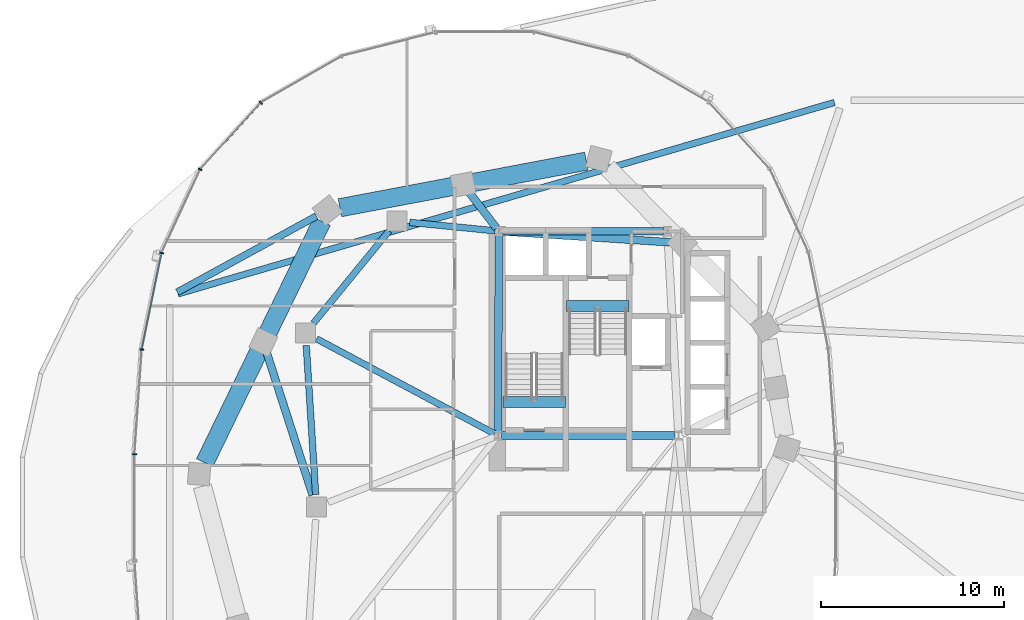
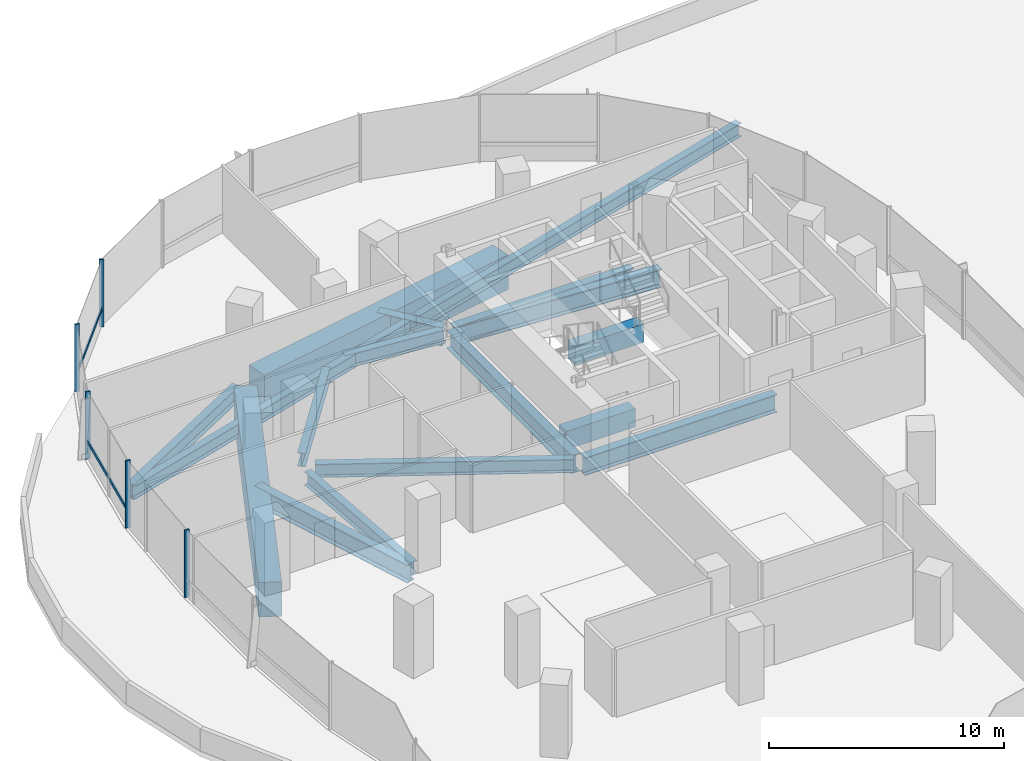
# One storey, part 6 of 28: 16 beams, 7 members, 1 element without a shape of its own.
"""IFC4 building model written with IfcOpenShell, lengths in metres."""

from ifc_helpers import new_model, si_unit, direction, frame, origin, origin_2d, place, context, subcontext, project, spatial, rectangle, i_section, extrude, material, material_profile, profile_set, type_object, element, aggregate, save


model = new_model("IFC4")

# Units and contexts
model_context = context("Model", 3, precision=1e-05, world=origin(), true_north=direction((0.0, 1.0)))
body_context = subcontext(model_context, "Body", "Model", "MODEL_VIEW")
ifc_project = project(units=[si_unit("LENGTHUNIT", "METRE"), si_unit("AREAUNIT", "SQUARE_METRE"), si_unit("VOLUMEUNIT", "CUBIC_METRE"), si_unit("PLANEANGLEUNIT", "RADIAN"), si_unit("MASSUNIT", "GRAM", prefix="KILO"), si_unit("THERMODYNAMICTEMPERATUREUNIT", "KELVIN"), si_unit("POWERUNIT", "WATT")], contexts=[model_context])

# Site, building, storey
site_placement = place(None, origin())
site = spatial("IfcSite", under=ifc_project, at=site_placement, CompositionType="ELEMENT")
building_placement = place(site_placement, origin())
building = spatial("IfcBuilding", under=site, at=building_placement, Name="Cundina Bronze Exchange", CompositionType="ELEMENT")
storey_placement = place(building_placement, frame((0.0, 0.0, 24.0)))
storey = spatial("IfcBuildingStorey", under=building, at=storey_placement, Name="L05", CompositionType="ELEMENT", Elevation=24.0)

# Beams
ifc_material_1 = material(Name="Concrete C60/75", Category="concrete")
ifc_material_profile_1 = material_profile(ifc_material_1, rectangle(XDim=0.60009765625, YDim=0.949951171875, at=origin_2d()), Name="RC600X950", Category="concrete")
ifc_profile_set_1 = profile_set([ifc_material_profile_1], Name="Concrete C60/75")
beam_type_1 = type_object("IfcBeamType", Name="BM-COUP-RC950", PredefinedType="LINTEL", material=ifc_profile_set_1)
beam_1_placement = place(storey_placement, frame((-31.02001953125, 5.719970703125, -0.47509765625), z_axis=(1.0, 0.0, 0.0), x_axis=(0.0, 1.0, 0.0)))
element("IfcBeam", 1, at=beam_1_placement, inside=storey, type_object=beam_type_1, Name="L05 Stair W1 Landing Header Beam", PredefinedType="LINTEL", context=body_context, shape_type="SweptSolid", body=[
    extrude(rectangle(XDim=0.60009765625, YDim=0.949951171875, at=origin_2d()), origin(), (0.0, 0.0, 1.0), 3.39990234375),
])
beam_2_placement = place(storey_placement, frame((-27.56005859375, 10.97998046875, -0.47509765625), z_axis=(1.0, 0.0, 0.0), x_axis=(0.0, 1.0, 0.0)))
element("IfcBeam", 2, at=beam_2_placement, inside=storey, type_object=beam_type_1, Name="L05 Stair W2 Landing Header Beam", PredefinedType="LINTEL", context=body_context, shape_type="SweptSolid", body=[
    extrude(rectangle(XDim=0.60009765625, YDim=0.949951171875, at=origin_2d()), origin(), (0.0, 0.0, 1.0), 3.400146484375),
])
ifc_material_2 = material(Name="Steel ASTM A992 Grade 50", Category="steel")
ifc_material_profile_2 = material_profile(ifc_material_2, i_section(OverallWidth=0.35498046875, OverallDepth=0.695068359375, WebThickness=0.015380859375, FlangeThickness=0.02490234375, FilletRadius=0.01806640625, at=origin_2d()), Name="W27X146", Category="steel")
ifc_profile_set_2 = profile_set([ifc_material_profile_2], Name="Steel ASTM A992 Grade 50")
beam_type_2 = type_object("IfcBeamType", Name="BM-RING-W27", PredefinedType="USERDEFINED", material=ifc_profile_set_2)
beam_3_placement = place(storey_placement, frame((-31.452880859375, 15.070068359375, -0.6474609375), z_axis=(-0.995123484374, 0.098636964914, 0.0), x_axis=(-0.098636964914, -0.995123484374, 0.0)))
element("IfcBeam", 3, at=beam_3_placement, inside=storey, type_object=beam_type_2, Name="L05 W Inner Structural Ring Girder 01", ObjectType="GIRDER", PredefinedType="USERDEFINED", context=body_context, shape_type="SweptSolid", body=[
    extrude(i_section(OverallWidth=0.35498046875, OverallDepth=0.695068359375, WebThickness=0.015380859375, FlangeThickness=0.02490234375, FilletRadius=0.01806640625, at=origin_2d()), origin(), (0.0, 0.0, 1.0), 4.685546875),
])
beam_4_placement = place(storey_placement, frame((-37.236083984375, 15.06787109375, -0.6474609375), z_axis=(-0.633941925234, -0.773380653644, 0.0), x_axis=(0.773380653644, -0.633941925234, 0.0)))
element("IfcBeam", 4, at=beam_4_placement, inside=storey, type_object=beam_type_2, Name="L05 W Inner Structural Ring Girder 02", ObjectType="GIRDER", PredefinedType="USERDEFINED", context=body_context, shape_type="SweptSolid", body=[
    extrude(i_section(OverallWidth=0.35498046875, OverallDepth=0.695068359375, WebThickness=0.015380859375, FlangeThickness=0.02490234375, FilletRadius=0.01806640625, at=origin_2d()), origin(), (0.0, 0.0, 1.0), 6.511474609375),
])
beam_5_placement = place(storey_placement, frame((-41.756591796875, 8.8134765625, -0.6474609375), z_axis=(0.063020359641, -0.998012241544, 0.0), x_axis=(0.998012241544, 0.063020359641, 0.0)))
element("IfcBeam", 5, at=beam_5_placement, inside=storey, type_object=beam_type_2, Name="L05 W Inner Structural Ring Girder 03", ObjectType="GIRDER", PredefinedType="USERDEFINED", context=body_context, shape_type="SweptSolid", body=[
    extrude(i_section(OverallWidth=0.35498046875, OverallDepth=0.695068359375, WebThickness=0.015380859375, FlangeThickness=0.02490234375, FilletRadius=0.01806640625, at=origin_2d()), origin(), (0.0, 0.0, 1.0), 8.14306640625),
])
beam_6_placement = place(storey_placement, frame((-31.47998046875, 3.99609375, -0.6474609375), z_axis=(-0.882354169055, 0.470585933014, 0.0), x_axis=(-0.470585933014, -0.882354169055, 0.0)))
element("IfcBeam", 6, at=beam_6_placement, inside=storey, type_object=beam_type_2, Name="L05 W Core-to-Waist Tie Beam 2", ObjectType="GIRDER", PredefinedType="USERDEFINED", context=body_context, shape_type="SweptSolid", body=[
    extrude(i_section(OverallWidth=0.35498046875, OverallDepth=0.695068359375, WebThickness=0.015380859375, FlangeThickness=0.02490234375, FilletRadius=0.01806640625, at=origin_2d()), origin(), (0.0, 0.0, 1.0), 11.0078125),
])
beam_7_placement = place(storey_placement, frame((-48.755615234375, 11.629638671875, -0.652587890625), z_axis=(0.960030342111, 0.279895948926, 0.0), x_axis=(-0.279895948926, 0.960030342111, 0.0)))
element("IfcBeam", 7, at=beam_7_placement, inside=storey, type_object=beam_type_2, Name="L05 Podium Roof Edge Girder 05", ObjectType="GIRDER", PredefinedType="USERDEFINED", context=body_context, shape_type="SweptSolid", body=[
    extrude(i_section(OverallWidth=0.35498046875, OverallDepth=0.695068359375, WebThickness=0.015380859375, FlangeThickness=0.02490234375, FilletRadius=0.01806640625, at=origin_2d()), origin(), (0.0, 0.0, 1.0), 37.302001953125),
])
ifc_material_profile_3 = material_profile(ifc_material_2, i_section(OverallWidth=0.381103515625, OverallDepth=0.77294921875, WebThickness=0.0166015625, FlangeThickness=0.027099609375, FilletRadius=0.01904296875, at=origin_2d()), Name="W30X173", Category="steel")
ifc_profile_set_3 = profile_set([ifc_material_profile_3], Name="Steel ASTM A992 Grade 50")
beam_type_3 = type_object("IfcBeamType", Name="BM-RING-W30", PredefinedType="USERDEFINED", material=ifc_profile_set_3)
beam_8_placement = place(storey_placement, frame((-48.793701171875, 11.721923828125, -0.69140625), z_axis=(0.877499398221, 0.479577737308, 0.0), x_axis=(-0.479577737308, 0.877499398221, 0.0)))
element("IfcBeam", 8, at=beam_8_placement, inside=storey, type_object=beam_type_3, Name="L05 Podium Colonnade Tie Beam 01", ObjectType="GIRDER", PredefinedType="USERDEFINED", context=body_context, shape_type="SweptSolid", body=[
    extrude(i_section(OverallWidth=0.381103515625, OverallDepth=0.77294921875, WebThickness=0.0166015625, FlangeThickness=0.027099609375, FilletRadius=0.01904296875, at=origin_2d()), origin(), (0.0, 0.0, 1.0), 8.649658203125),
])
ifc_material_profile_4 = material_profile(ifc_material_2, i_section(OverallWidth=0.423095703125, OverallDepth=0.947998046875, WebThickness=0.02392578125, FlangeThickness=0.042724609375, FilletRadius=0.02392578125, at=origin_2d()), Name="W36X302", Category="steel")
ifc_profile_set_4 = profile_set([ifc_material_profile_4], Name="Steel ASTM A992 Grade 50")
beam_type_4 = type_object("IfcBeamType", Name="BM-WRN-W36A", PredefinedType="USERDEFINED", material=ifc_profile_set_4)
beam_9_placement = place(storey_placement, frame((-31.04638671875, 15.036865234375, -0.77392578125), z_axis=(0.997892866458, -0.064883180197, 0.0), x_axis=(0.064883180197, 0.997892866458, 0.0)))
element("IfcBeam", 9, at=beam_9_placement, inside=storey, type_object=beam_type_4, Name="L05 W Transfer Radial Tie Girder 03", ObjectType="GIRDER", PredefinedType="USERDEFINED", context=body_context, shape_type="SweptSolid", body=[
    extrude(i_section(OverallWidth=0.423095703125, OverallDepth=0.947998046875, WebThickness=0.02392578125, FlangeThickness=0.042724609375, FilletRadius=0.02392578125, at=origin_2d()), origin(), (0.0, 0.0, 1.0), 9.817138671875),
])
beam_10_placement = place(storey_placement, frame((-31.373779296875, 15.2119140625, -0.77392578125), z_axis=(-0.607432021903, 0.794371662868, 0.0), x_axis=(-0.794371662868, -0.607432021903, 0.0)))
element("IfcBeam", 10, at=beam_10_placement, inside=storey, type_object=beam_type_4, Name="L05 W Transfer Radial Tie Girder 05", ObjectType="GIRDER", PredefinedType="USERDEFINED", context=body_context, shape_type="SweptSolid", body=[
    extrude(i_section(OverallWidth=0.423095703125, OverallDepth=0.947998046875, WebThickness=0.02392578125, FlangeThickness=0.042724609375, FilletRadius=0.02392578125, at=origin_2d()), origin(), (0.0, 0.0, 1.0), 3.00634765625),
])
beam_11_placement = place(storey_placement, frame((-41.410888671875, 0.65478515625, -0.77392578125), z_axis=(-0.306713948164, 0.951801740911, 0.0), x_axis=(-0.951801740911, -0.306713948164, 0.0)))
element("IfcBeam", 11, at=beam_11_placement, inside=storey, type_object=beam_type_4, Name="L05 W Transfer Radial Tie Girder 07", ObjectType="GIRDER", PredefinedType="USERDEFINED", context=body_context, shape_type="SweptSolid", body=[
    extrude(i_section(OverallWidth=0.423095703125, OverallDepth=0.947998046875, WebThickness=0.02392578125, FlangeThickness=0.042724609375, FilletRadius=0.02392578125, at=origin_2d()), origin(), (0.0, 0.0, 1.0), 8.767822265625),
])
ifc_material_profile_5 = material_profile(ifc_material_2, i_section(OverallWidth=0.41796875, OverallDepth=0.927001953125, WebThickness=0.019287109375, FlangeThickness=0.031982421875, FilletRadius=0.02392578125, at=origin_2d()), Name="W36X231", Category="steel")
ifc_profile_set_5 = profile_set([ifc_material_profile_5], Name="Steel ASTM A992 Grade 50")
beam_type_5 = type_object("IfcBeamType", Name="BM-WRN-W36B", PredefinedType="USERDEFINED", material=ifc_profile_set_5)
beam_12_placement = place(storey_placement, frame((-31.095947265625, 3.89990234375, -0.763427734375), z_axis=(1.0, 0.0, 0.0), x_axis=(0.0, 1.0, 0.0)))
element("IfcBeam", 12, at=beam_12_placement, inside=storey, type_object=beam_type_5, Name="L05 W Core Perimeter Tie Girder 1", ObjectType="GIRDER", PredefinedType="USERDEFINED", context=body_context, shape_type="SweptSolid", body=[
    extrude(i_section(OverallWidth=0.41796875, OverallDepth=0.927001953125, WebThickness=0.019287109375, FlangeThickness=0.031982421875, FilletRadius=0.02392578125, at=origin_2d()), origin(), (0.0, 0.0, 1.0), 9.44189453125),
])
beam_13_placement = place(storey_placement, frame((-22.25390625, 15.050048828125, -0.763427734375), z_axis=(-1.0, 0.0, 0.0), x_axis=(0.0, -1.0, 0.0)))
element("IfcBeam", 13, at=beam_13_placement, inside=storey, type_object=beam_type_5, Name="L05 W Core Perimeter Tie Girder 3", ObjectType="GIRDER", PredefinedType="USERDEFINED", context=body_context, shape_type="SweptSolid", body=[
    extrude(i_section(OverallWidth=0.41796875, OverallDepth=0.927001953125, WebThickness=0.019287109375, FlangeThickness=0.031982421875, FilletRadius=0.02392578125, at=origin_2d()), origin(), (0.0, 0.0, 1.0), 8.7919921875),
])
beam_14_placement = place(storey_placement, frame((-31.2509765625, 14.845947265625, -0.763427734375), z_axis=(-0.004477329608, -0.99998997671, 0.0), x_axis=(0.99998997671, -0.004477329608, 0.0)))
element("IfcBeam", 14, at=beam_14_placement, inside=storey, type_object=beam_type_5, Name="L05 W Core Perimeter Tie Girder 4", ObjectType="GIRDER", PredefinedType="USERDEFINED", context=body_context, shape_type="SweptSolid", body=[
    extrude(i_section(OverallWidth=0.41796875, OverallDepth=0.927001953125, WebThickness=0.019287109375, FlangeThickness=0.031982421875, FilletRadius=0.02392578125, at=origin_2d()), origin(), (0.0, 0.0, 1.0), 10.741943359375),
])
ifc_material_profile_6 = material_profile(ifc_material_1, rectangle(XDim=1.0, YDim=1.800048828125, at=origin_2d()), Name="RC1000X1800", Category="concrete")
ifc_profile_set_6 = profile_set([ifc_material_profile_6], Name="Concrete C60/75")
beam_type_6 = type_object("IfcBeamType", Name="BM-XFER-RC1800", PredefinedType="USERDEFINED", material=ifc_profile_set_6)
beam_15_placement = place(storey_placement, frame((-26.47607421875, 18.8720703125, -1.199951171875), z_axis=(-0.982570597927, -0.18588980631, 0.0), x_axis=(0.18588980631, -0.982570597927, 0.0)))
element("IfcBeam", 15, at=beam_15_placement, inside=storey, type_object=beam_type_6, Name="L05 W Podium Perimeter Transfer Girder 04", ObjectType="GIRDER", PredefinedType="USERDEFINED", context=body_context, shape_type="SweptSolid", body=[
    extrude(rectangle(XDim=1.0, YDim=1.800048828125, at=origin_2d()), origin(), (0.0, 0.0, 1.0), 13.6865234375),
])
beam_16_placement = place(storey_placement, frame((-40.90087890625, 15.581298828125, -1.199951171875), z_axis=(-0.437190083216, -0.899369129522, 0.0), x_axis=(0.899369129522, -0.437190083216, 0.0)))
element("IfcBeam", 16, at=beam_16_placement, inside=storey, type_object=beam_type_6, Name="L05 W Podium Perimeter Transfer Girder 06", ObjectType="GIRDER", PredefinedType="USERDEFINED", context=body_context, shape_type="SweptSolid", body=[
    extrude(rectangle(XDim=1.0, YDim=1.800048828125, at=origin_2d()), origin(), (0.0, 0.0, 1.0), 14.63525390625),
])

# Curtain wall, members
ifc_material_3 = material(Name="Anodised Bronze Aluminium 6063-T6", Category="aluminium")
curtain_wall_type = type_object("IfcCurtainWallType", Name="CWS-TRD-LOW", PredefinedType="NOTDEFINED", material=ifc_material_3)
curtain_wall_placement = place(storey_placement, origin())
curtain_wall = element("IfcCurtainWall", 17, at=curtain_wall_placement, inside=storey, type_object=curtain_wall_type, Name="L05 CW-02 Curtain Wall Run CWR-L05-W2", PredefinedType="NOTDEFINED")
ifc_material_profile_7 = material_profile(ifc_material_3, rectangle(XDim=0.074951171875, YDim=0.219970703125, at=origin_2d()), Name="AL75X220", Category="aluminium")
ifc_profile_set_7 = profile_set([ifc_material_profile_7], Name="Anodised Bronze Aluminium 6063-T6")
member_type_1 = type_object("IfcMemberType", Name="CWM-MUL-220", PredefinedType="MULLION", material=ifc_profile_set_7)
member_1_placement = place(storey_placement, frame((-44.239501953125, 22.0576171875, 0.0), z_axis=(0.0, 0.0, 1.0), x_axis=(-0.674302387584, -0.738455340626, 0.0)))
member_1 = element("IfcMember", 18, at=member_1_placement, type_object=member_type_1, Name="CW-02 Mullion 3", PredefinedType="MULLION", context=body_context, shape_type="SweptSolid", body=[
    extrude(rectangle(XDim=0.074951171875, YDim=0.219970703125, at=origin_2d()), origin(), (0.0, 0.0, 1.0), 3.5),
])
member_2_placement = place(storey_placement, frame((-47.544189453125, 18.423583984375, 0.0), z_axis=(0.0, 0.0, 1.0), x_axis=(-0.42087749791, -0.907117485088, 0.0)))
member_2 = element("IfcMember", 19, at=member_2_placement, type_object=member_type_1, Name="CW-02 Mullion 4", PredefinedType="MULLION", context=body_context, shape_type="SweptSolid", body=[
    extrude(rectangle(XDim=0.074951171875, YDim=0.219970703125, at=origin_2d()), origin(), (0.0, 0.0, 1.0), 3.5),
])
member_3_placement = place(storey_placement, frame((-49.651123046875, 13.861328125, 0.0), z_axis=(0.0, 0.0, 1.0), x_axis=(-0.201419845156, -0.979505000486, 0.0)))
member_3 = element("IfcMember", 20, at=member_3_placement, type_object=member_type_1, Name="CW-02 Mullion 5", PredefinedType="MULLION", context=body_context, shape_type="SweptSolid", body=[
    extrude(rectangle(XDim=0.074951171875, YDim=0.219970703125, at=origin_2d()), origin(), (0.0, 0.0, 1.0), 3.5),
])
member_4_placement = place(storey_placement, frame((-50.72900390625, 8.591552734375, 0.0), z_axis=(0.0, 0.0, 1.0), x_axis=(-0.070278787473, -0.997527389113, 0.0)))
member_4 = element("IfcMember", 21, at=member_4_placement, type_object=member_type_1, Name="CW-02 Mullion 6", PredefinedType="MULLION", context=body_context, shape_type="SweptSolid", body=[
    extrude(rectangle(XDim=0.074951171875, YDim=0.219970703125, at=origin_2d()), origin(), (0.0, 0.0, 1.0), 3.5),
])
member_5_placement = place(storey_placement, frame((-51.1279296875, 2.880615234375, 0.0), z_axis=(0.0, 0.0, 1.0), x_axis=(0.0, -1.0, 0.0)))
member_5 = element("IfcMember", 22, at=member_5_placement, type_object=member_type_1, Name="CW-02 Mullion 7", PredefinedType="MULLION", context=body_context, shape_type="SweptSolid", body=[
    extrude(rectangle(XDim=0.074951171875, YDim=0.219970703125, at=origin_2d()), origin(), (0.0, 0.0, 1.0), 3.5),
])
ifc_material_profile_8 = material_profile(ifc_material_3, rectangle(XDim=0.070068359375, YDim=0.179931640625, at=origin_2d()), Name="AL70X180", Category="aluminium")
ifc_profile_set_8 = profile_set([ifc_material_profile_8], Name="Anodised Bronze Aluminium 6063-T6")
member_type_2 = type_object("IfcMemberType", Name="CWM-TRN-180", PredefinedType="USERDEFINED", material=ifc_profile_set_8)
member_6_placement = place(storey_placement, frame((-44.26708984375, 22.027099609375, 0.919921875), z_axis=(-0.674302794847, -0.738454968743, 0.0), x_axis=(0.738454968743, -0.674302794847, 0.0)))
member_6 = element("IfcMember", 23, at=member_6_placement, type_object=member_type_2, Name="CW-02 Spandrel Transom 3", ObjectType="TRANSOM", PredefinedType="USERDEFINED", context=body_context, shape_type="SweptSolid", body=[
    extrude(rectangle(XDim=0.070068359375, YDim=0.179931640625, at=origin_2d()), origin(), (0.0, 0.0, 1.0), 4.848388671875),
])
member_7_placement = place(storey_placement, frame((-49.659423828125, 13.821044921875, 0.919921875), z_axis=(-0.201427712708, -0.979503382615, 0.0), x_axis=(0.979503382615, -0.201427712708, 0.0)))
member_7 = element("IfcMember", 24, at=member_7_placement, type_object=member_type_2, Name="CW-02 Spandrel Transom 5", ObjectType="TRANSOM", PredefinedType="USERDEFINED", context=body_context, shape_type="SweptSolid", body=[
    extrude(rectangle(XDim=0.070068359375, YDim=0.179931640625, at=origin_2d()), origin(), (0.0, 0.0, 1.0), 5.291748046875),
])
aggregate(curtain_wall, [member_1, member_6, member_2, member_3, member_7, member_4, member_5])

save(model, "model.ifc")
